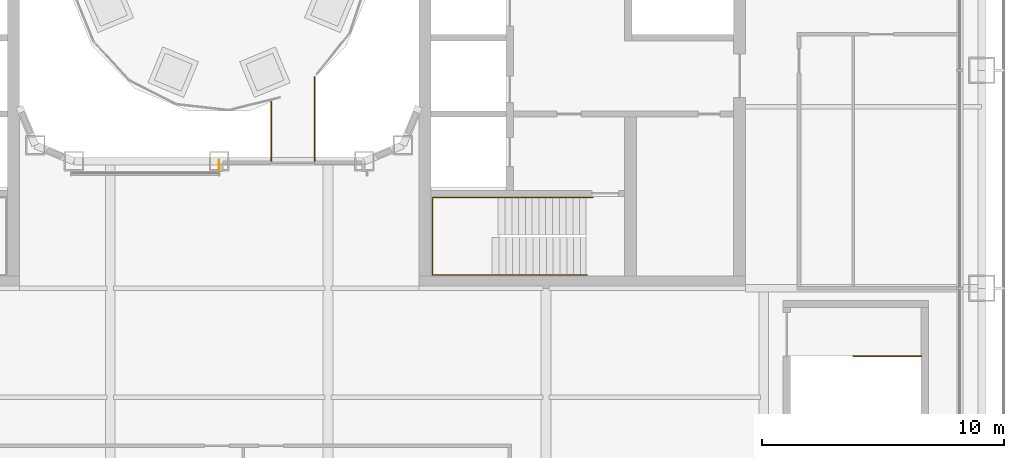
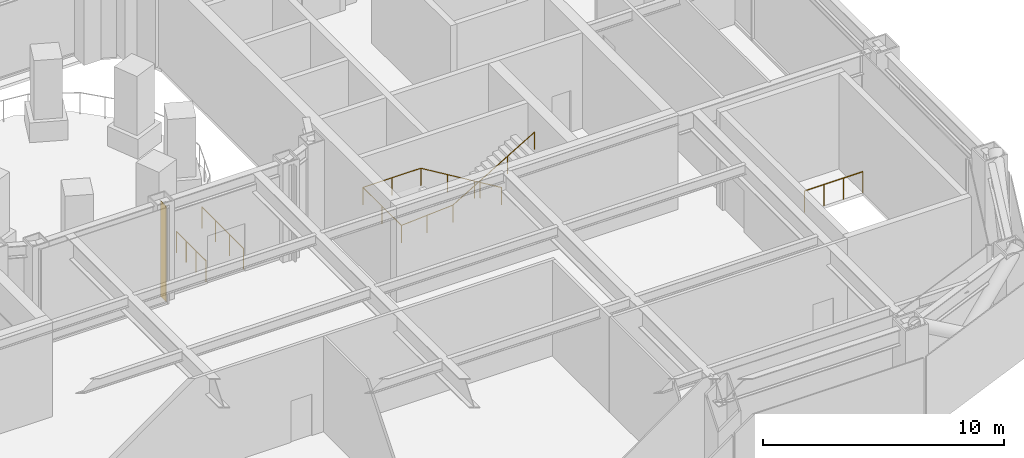
# One storey, part 21 of 25: 4 railings, 1 shading device.
"""IFC4 building model written with IfcOpenShell, lengths in metres."""

from ifc_helpers import new_model, si_unit, direction, frame, origin, origin_2d, place, context, subcontext, project, spatial, rectangle, circle, extrude, material, layer, layer_set, type_object, element, save


model = new_model("IFC4")

# Units and contexts
model_context = context("Model", 3, precision=1e-05, world=origin(), true_north=direction((0.0, 1.0)))
body_context = subcontext(model_context, "Body", "Model", "MODEL_VIEW")
ifc_project = project(units=[si_unit("LENGTHUNIT", "METRE"), si_unit("AREAUNIT", "SQUARE_METRE"), si_unit("VOLUMEUNIT", "CUBIC_METRE"), si_unit("PLANEANGLEUNIT", "RADIAN"), si_unit("MASSUNIT", "GRAM", prefix="KILO")], contexts=[model_context])

# Site, building, storey
site_placement = place(None, origin())
site = spatial("IfcSite", under=ifc_project, at=site_placement, CompositionType="ELEMENT")
building_placement = place(site_placement, origin())
building = spatial("IfcBuilding", under=site, at=building_placement, Name="Siwar Civic Tower", CompositionType="ELEMENT")
storey_placement = place(building_placement, frame((0.0, 0.0, 17.199951171875)))
storey = spatial("IfcBuildingStorey", under=building, at=storey_placement, Name="L03", CompositionType="ELEMENT", Elevation=17.199951171875)

# Railing
ifc_material_1 = material(Name="Stainless steel", Category="steel")
railing_type_1 = type_object("IfcRailingType", Name="CORE-STAIR-HANDRAIL", PredefinedType="HANDRAIL", material=ifc_material_1)
railing_1_placement = place(storey_placement, frame((15.449951171875, -9.758056640625, 0.166748046875)))
element("IfcRailing", 1, at=railing_1_placement, inside=storey, type_object=railing_type_1, Name="Stair handrail ST4", PredefinedType="HANDRAIL", context=body_context, shape_type="SweptSolid", body=[
    extrude(circle(Radius=0.02001953125, at=origin_2d()), frame((0.0, 0.0, 0.8798828125), z_axis=(-0.856384976194, 0.0, 0.516337847296), x_axis=(0.0, -1.0, 0.0)), (0.0, 0.0, 1.0), 4.518798828125),
    extrude(circle(Radius=0.02001953125, at=origin_2d()), frame((-3.869873046875, 0.0, 3.213134765625), z_axis=(-1.0, 0.0, 0.0), x_axis=(0.0, -1.0, 0.0)), (0.0, 0.0, 1.0), 2.77197265625),
    extrude(circle(Radius=0.02001953125, at=origin_2d()), frame((-6.641845703125, 0.0, 3.213134765625), z_axis=(0.0, -1.0, 0.0), x_axis=(1.0, 0.0, 0.0)), (0.0, 0.0, 1.0), 3.183837890625),
    extrude(circle(Radius=0.02001953125, at=origin_2d()), frame((-6.641845703125, -3.183837890625, 3.213134765625), z_axis=(0.997732526271, 0.0, 0.067303833624), x_axis=(0.0, 1.0, 0.0)), (0.0, 0.0, 1.0), 2.4775390625),
    extrude(circle(Radius=0.02001953125, at=origin_2d()), frame((-4.169921875, -3.183837890625, 3.3798828125), z_axis=(0.859296244711, 0.0, 0.511478214419), x_axis=(0.0, 1.0, 0.0)), (0.0, 0.0, 1.0), 4.561767578125),
    extrude(circle(Radius=0.02001953125, at=origin_2d()), origin(), (0.0, 0.0, 1.0), 0.85986328125),
    extrude(circle(Radius=0.02001953125, at=origin_2d()), frame((-1.2900390625, 0.0, 0.77783203125)), (0.0, 0.0, 1.0), 0.85986328125),
    extrude(circle(Radius=0.02001953125, at=origin_2d()), frame((-2.579833984375, 0.0, 1.555419921875)), (0.0, 0.0, 1.0), 0.85986328125),
    extrude(circle(Radius=0.02001953125, at=origin_2d()), frame((-3.869873046875, 0.0, 2.333251953125)), (0.0, 0.0, 1.0), 0.85986328125),
    extrude(circle(Radius=0.02001953125, at=origin_2d()), frame((-5.255859375, 0.0, 2.333251953125)), (0.0, 0.0, 1.0), 0.85986328125),
    extrude(circle(Radius=0.02001953125, at=origin_2d()), frame((-6.641845703125, 0.0, 2.333251953125)), (0.0, 0.0, 1.0), 0.85986328125),
    extrude(circle(Radius=0.02001953125, at=origin_2d()), frame((-6.641845703125, -1.591796875, 2.333251953125)), (0.0, 0.0, 1.0), 0.85986328125),
    extrude(circle(Radius=0.02001953125, at=origin_2d()), frame((-6.641845703125, -3.183837890625, 2.333251953125)), (0.0, 0.0, 1.0), 0.85986328125),
    extrude(circle(Radius=0.02001953125, at=origin_2d()), frame((-5.40576171875, -3.183837890625, 2.41650390625)), (0.0, 0.0, 1.0), 0.85986328125),
    extrude(circle(Radius=0.02001953125, at=origin_2d()), frame((-4.169921875, -3.183837890625, 2.5)), (0.0, 0.0, 1.0), 0.85986328125),
    extrude(circle(Radius=0.02001953125, at=origin_2d()), frame((-2.86328125, -3.183837890625, 3.27783203125)), (0.0, 0.0, 1.0), 0.85986328125),
    extrude(circle(Radius=0.02001953125, at=origin_2d()), frame((-1.556640625, -3.183837890625, 4.055419921875)), (0.0, 0.0, 1.0), 0.85986328125),
    extrude(circle(Radius=0.02001953125, at=origin_2d()), frame((-0.25, -3.183837890625, 4.833251953125)), (0.0, 0.0, 1.0), 0.85986328125),
])

# Shading device
ifc_material_2 = material(Name="Aluminium 6063-T6", Category="aluminium")
ifc_layer = layer(ifc_material_2, 0.02001953125)
ifc_layer_set = layer_set([ifc_layer], Name="Aluminium 6063-T6")
shading_device_type = type_object("IfcShadingDeviceType", Name="ENV-FIN", PredefinedType="JALOUSIE", material=ifc_layer_set)
shading_device_placement = place(storey_placement, frame((0.0, -8.445068359375, 0.0), z_axis=(0.0, 0.0, 1.0), x_axis=(1.0, 0.0, 0.0)))
element("IfcShadingDevice", 2, at=shading_device_placement, inside=storey, type_object=shading_device_type, Name="SUNSHADE fin WS 1", PredefinedType="JALOUSIE", context=body_context, shape_type="SweptSolid", body=[
    extrude(rectangle(XDim=0.02001953125, YDim=0.449951171875, at=origin_2d()), origin(), (0.0, 0.0, 1.0), 4.85009765625),
])

# Railings
ifc_material_3 = material(Name="Stainless steel", Category="steel")
railing_type_2 = type_object("IfcRailingType", Name="GND-RAIL", PredefinedType="GUARDRAIL", material=ifc_material_3)
railing_2_placement = place(storey_placement, frame((2.14990234375, -8.239990234375, 0.0)))
element("IfcRailing", 3, at=railing_2_placement, inside=storey, type_object=railing_type_2, Name="Bridge guard", PredefinedType="GUARDRAIL", context=body_context, shape_type="SweptSolid", body=[
    extrude(circle(Radius=0.02392578125, at=origin_2d()), frame((0.0, 0.0, 1.076171875), z_axis=(0.0, 1.0, 0.0), x_axis=(-1.0, 0.0, 0.0)), (0.0, 0.0, 1.0), 2.4423828125),
    extrude(circle(Radius=0.02099609375, at=origin_2d()), origin(), (0.0, 0.0, 1.0), 1.052001953125),
    extrude(circle(Radius=0.02099609375, at=origin_2d()), frame((0.0, 0.814208984375, 0.0)), (0.0, 0.0, 1.0), 1.052001953125),
    extrude(circle(Radius=0.02099609375, at=origin_2d()), frame((0.0, 1.628173828125, 0.0)), (0.0, 0.0, 1.0), 1.052001953125),
    extrude(circle(Radius=0.02099609375, at=origin_2d()), frame((0.0, 2.4423828125, 0.0)), (0.0, 0.0, 1.0), 1.052001953125),
])
railing_3_placement = place(storey_placement, frame((3.949951171875, -8.239990234375, 0.0)))
element("IfcRailing", 4, at=railing_3_placement, inside=storey, type_object=railing_type_2, Name="Bridge guard", PredefinedType="GUARDRAIL", context=body_context, shape_type="SweptSolid", body=[
    extrude(circle(Radius=0.02392578125, at=origin_2d()), frame((0.0, 0.0, 1.076171875), z_axis=(0.0, 1.0, 0.0), x_axis=(-1.0, 0.0, 0.0)), (0.0, 0.0, 1.0), 3.45166015625),
    extrude(circle(Radius=0.02099609375, at=origin_2d()), origin(), (0.0, 0.0, 1.0), 1.052001953125),
    extrude(circle(Radius=0.02099609375, at=origin_2d()), frame((0.0, 1.150634765625, 0.0)), (0.0, 0.0, 1.0), 1.052001953125),
    extrude(circle(Radius=0.02099609375, at=origin_2d()), frame((0.0, 2.301025390625, 0.0)), (0.0, 0.0, 1.0), 1.052001953125),
    extrude(circle(Radius=0.02099609375, at=origin_2d()), frame((0.0, 3.45166015625, 0.0)), (0.0, 0.0, 1.0), 1.052001953125),
])
railing_4_placement = place(storey_placement, frame((29.0, -16.300048828125, 0.0)))
element("IfcRailing", 5, at=railing_4_placement, inside=storey, type_object=railing_type_2, Name="Opening guard ST6", PredefinedType="GUARDRAIL", context=body_context, shape_type="SweptSolid", body=[
    extrude(circle(Radius=0.02392578125, at=origin_2d()), frame((0.0, 0.0, 1.076171875), z_axis=(-1.0, 0.0, 0.0), x_axis=(0.0, -1.0, 0.0)), (0.0, 0.0, 1.0), 2.800048828125),
    extrude(circle(Radius=0.02099609375, at=origin_2d()), origin(), (0.0, 0.0, 1.0), 1.052001953125),
    extrude(circle(Radius=0.02099609375, at=origin_2d()), frame((-0.933349609375, 0.0, 0.0)), (0.0, 0.0, 1.0), 1.052001953125),
    extrude(circle(Radius=0.02099609375, at=origin_2d()), frame((-1.86669921875, 0.0, 0.0)), (0.0, 0.0, 1.0), 1.052001953125),
    extrude(circle(Radius=0.02099609375, at=origin_2d()), frame((-2.800048828125, 0.0, 0.0)), (0.0, 0.0, 1.0), 1.052001953125),
])

save(model, "model.ifc")
